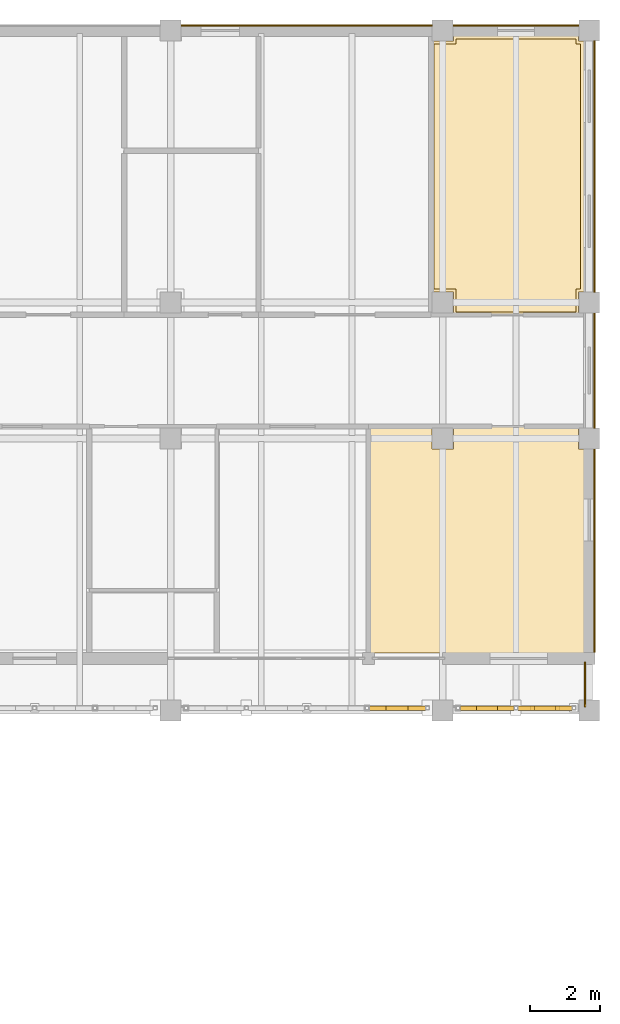
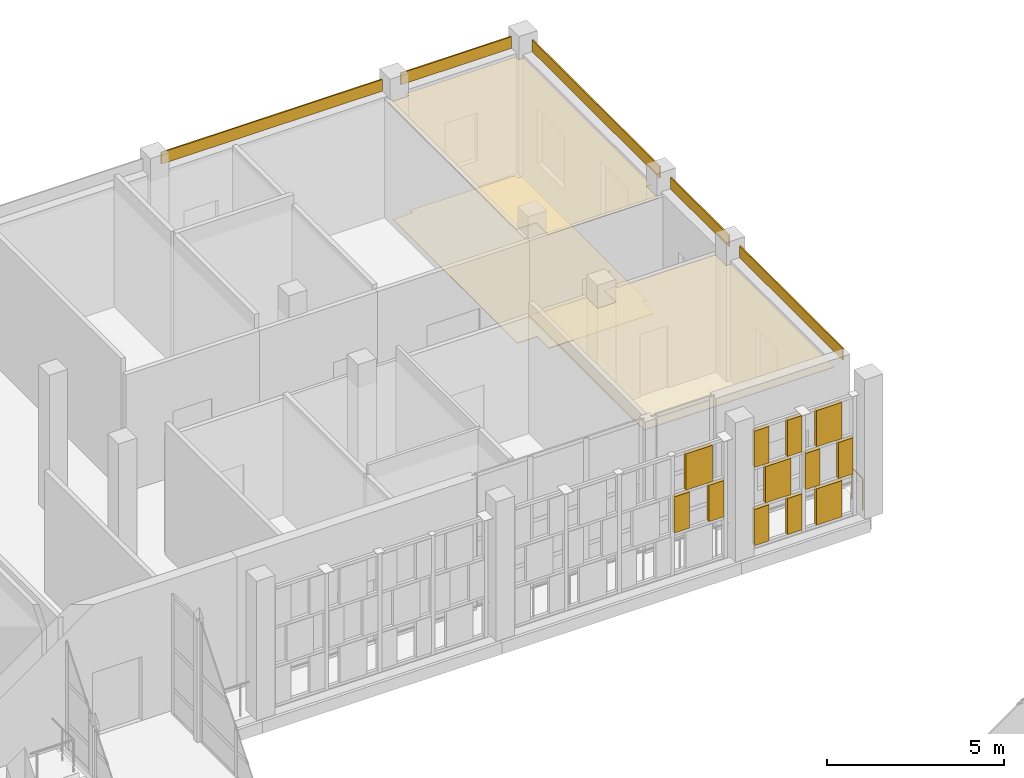
# One storey, part 138 of 138: 20 coverings, 1 railing.
"""IFC4 building model written with IfcOpenShell, lengths in metres."""

from ifc_helpers import new_model, si_unit, direction, frame, origin, origin_2d, place, context, subcontext, project, spatial, polyline, rectangle, circle, outline, extrude, material, layer, layer_set, type_object, element, save


model = new_model("IFC4")

# Units and contexts
model_context = context("Model", 3, precision=1e-05, world=origin(), true_north=direction((0.0, 1.0)))
body_context = subcontext(model_context, "Body", "Model", "MODEL_VIEW")
ifc_project = project(units=[si_unit("LENGTHUNIT", "METRE"), si_unit("AREAUNIT", "SQUARE_METRE"), si_unit("VOLUMEUNIT", "CUBIC_METRE"), si_unit("PLANEANGLEUNIT", "RADIAN"), si_unit("MASSUNIT", "GRAM", prefix="KILO")], contexts=[model_context])

# Site, building, storey
site_placement = place(None, origin())
site = spatial("IfcSite", under=ifc_project, at=site_placement, CompositionType="ELEMENT")
building_placement = place(site_placement, origin())
building = spatial("IfcBuilding", under=site, at=building_placement, Name="Celorna Specialist Clinic", CompositionType="ELEMENT")
storey_placement = place(building_placement, frame((0.0, 0.0, 4.800048828125)))
storey = spatial("IfcBuildingStorey", under=building, at=storey_placement, Name="L01", CompositionType="ELEMENT", Elevation=4.800048828125)

# Railing
ifc_material_1 = material(Name="Stainless steel and laminated glass balustrade", Category="steel")
railing_type = type_object("IfcRailingType", Name="BL-01", PredefinedType="BALUSTRADE", material=ifc_material_1)
railing_placement = place(storey_placement, frame((167.8798828125, 97.8798828125, 0.0)))
element("IfcRailing", 1, at=railing_placement, inside=storey, type_object=railing_type, Name="East Outpatient Cloister Veranda perimeter balustrade 3", PredefinedType="BALUSTRADE", context=body_context, shape_type="SweptSolid", body=[
    extrude(circle(Radius=0.02392578125, at=origin_2d()), frame((0.0, 0.0, 1.09619140625), z_axis=(0.0, -1.0, 0.0), x_axis=(1.0, 0.0, 0.0)), (0.0, 0.0, 1.0), 1.259765625),
    extrude(circle(Radius=0.02099609375, at=origin_2d()), origin(), (0.0, 0.0, 1.0), 1.072021484375),
    extrude(circle(Radius=0.02099609375, at=origin_2d()), frame((0.0, -0.6298828125, 0.0)), (0.0, 0.0, 1.0), 1.072021484375),
    extrude(circle(Radius=0.02099609375, at=origin_2d()), frame((0.0, -1.259765625, 0.0)), (0.0, 0.0, 1.0), 1.072021484375),
])

# Coverings
ifc_material_2 = material(Name="Hygienic acoustic mineral-fibre ceiling")
ifc_layer_1 = layer(ifc_material_2, 0.030029296875, Name="Hygienic acoustic mineral-fibre ceiling")
ifc_layer_set_1 = layer_set([ifc_layer_1], Name="Hygienic acoustic mineral-fibre ceiling")
covering_type_1 = type_object("IfcCoveringType", Name="CE-01", PredefinedType="CEILING", material=ifc_layer_set_1)
covering_1_placement = place(storey_placement, frame((0.0, 0.0, 3.989990234375)))
element("IfcCovering", 2, at=covering_1_placement, inside=storey, type_object=covering_type_1, Name="Acoustic ceiling L01-073", PredefinedType="CEILING", context=body_context, shape_type="SweptSolid", body=[
    extrude(outline(polyline([(163.5048828125, 104.6650390625), (163.5048828125, 104.60498046875), (163.4951171875, 104.60498046875), (163.4951171875, 103.9951171875), (164.10498046875, 103.9951171875), (164.10498046875, 104.60498046875), (164.094970703125, 104.60498046875), (164.094970703125, 104.6650390625), (167.705078125, 104.6650390625), (167.705078125, 104.60498046875), (167.695068359375, 104.60498046875), (167.695068359375, 103.9951171875), (167.844970703125, 103.9951171875), (167.844970703125, 98.155029296875), (161.655029296875, 98.155029296875), (161.655029296875, 104.6650390625), (163.5048828125, 104.6650390625)])), origin(), (0.0, 0.0, 1.0), 0.030029296875),
])
covering_2_placement = place(storey_placement, frame((0.0, 0.0, 3.989990234375)))
element("IfcCovering", 3, at=covering_2_placement, inside=storey, type_object=covering_type_1, Name="Acoustic ceiling L01-090", PredefinedType="CEILING", context=body_context, shape_type="SweptSolid", body=[
    extrude(outline(polyline([(163.4951171875, 115.705078125), (163.4951171875, 115.695068359375), (164.10498046875, 115.695068359375), (164.10498046875, 115.844970703125), (167.695068359375, 115.844970703125), (167.695068359375, 115.695068359375), (167.844970703125, 115.695068359375), (167.844970703125, 108.5048828125), (167.695068359375, 108.5048828125), (167.695068359375, 107.89501953125), (167.705078125, 107.89501953125), (167.705078125, 107.8349609375), (164.094970703125, 107.8349609375), (164.094970703125, 107.89501953125), (164.10498046875, 107.89501953125), (164.10498046875, 108.5048828125), (163.4951171875, 108.5048828125), (163.4951171875, 108.4951171875), (163.455078125, 108.4951171875), (163.455078125, 115.705078125), (163.4951171875, 115.705078125)])), origin(), (0.0, 0.0, 1.0), 0.030029296875),
])
ifc_material_3 = material(Name="Pero Pinheiro Lioz limestone rainscreen cladding", Category="masonry")
ifc_layer_2 = layer(ifc_material_3, 0.044921875, Name="Pero Pinheiro Lioz limestone rainscreen cladding")
ifc_layer_set_2 = layer_set([ifc_layer_2], Name="Pero Pinheiro Lioz limestone rainscreen cladding")
covering_type_2 = type_object("IfcCoveringType", Name="CL-01", PredefinedType="CLADDING", material=ifc_layer_set_2)
covering_3_placement = place(storey_placement, frame((159.89990234375, 116.1474609375, 4.139892578125), z_axis=(0.0, 0.0, 1.0), x_axis=(1.0, 0.0, 0.0)))
element("IfcCovering", 4, at=covering_3_placement, inside=storey, type_object=covering_type_2, Name="Lioz spandrel cladding #222", PredefinedType="CLADDING", context=body_context, shape_type="SweptSolid", body=[
    extrude(rectangle(XDim=7.199951171875, YDim=0.044921875, at=origin_2d()), origin(), (0.0, 0.0, 1.0), 0.39990234375),
])
covering_4_placement = place(storey_placement, frame((165.89990234375, 116.1474609375, 4.139892578125), z_axis=(0.0, 0.0, 1.0), x_axis=(1.0, 0.0, 0.0)))
element("IfcCovering", 5, at=covering_4_placement, inside=storey, type_object=covering_type_2, Name="Lioz spandrel cladding #223", PredefinedType="CLADDING", context=body_context, shape_type="SweptSolid", body=[
    extrude(rectangle(XDim=3.60009765625, YDim=0.044921875, at=origin_2d()), origin(), (0.0, 0.0, 1.0), 0.39990234375),
])
covering_5_placement = place(storey_placement, frame((168.1474609375, 101.0849609375, 4.139892578125), z_axis=(0.0, 0.0, 1.0), x_axis=(0.0, -1.0, 0.0)))
element("IfcCovering", 6, at=covering_5_placement, inside=storey, type_object=covering_type_2, Name="Lioz spandrel cladding #227", PredefinedType="CLADDING", context=body_context, shape_type="SweptSolid", body=[
    extrude(rectangle(XDim=5.830078125, YDim=0.044921875, at=origin_2d()), origin(), (0.0, 0.0, 1.0), 0.39990234375),
])
covering_6_placement = place(storey_placement, frame((168.1474609375, 106.25, 4.139892578125), z_axis=(0.0, 0.0, 1.0), x_axis=(0.0, -1.0, 0.0)))
element("IfcCovering", 7, at=covering_6_placement, inside=storey, type_object=covering_type_2, Name="Lioz spandrel cladding #228", PredefinedType="CLADDING", context=body_context, shape_type="SweptSolid", body=[
    extrude(rectangle(XDim=3.300048828125, YDim=0.044921875, at=origin_2d()), origin(), (0.0, 0.0, 1.0), 0.39990234375),
])
covering_7_placement = place(storey_placement, frame((168.1474609375, 112.10009765625, 4.139892578125), z_axis=(0.0, 0.0, 1.0), x_axis=(0.0, -1.0, 0.0)))
element("IfcCovering", 8, at=covering_7_placement, inside=storey, type_object=covering_type_2, Name="Lioz spandrel cladding #229", PredefinedType="CLADDING", context=body_context, shape_type="SweptSolid", body=[
    extrude(rectangle(XDim=7.199951171875, YDim=0.044921875, at=origin_2d()), origin(), (0.0, 0.0, 1.0), 0.39990234375),
])
ifc_material_4 = material(Name="Perforated terracotta brick weave cladding", Category="masonry")
ifc_layer_3 = layer(ifc_material_4, 0.114990234375, Name="Perforated terracotta brick weave cladding")
ifc_layer_set_3 = layer_set([ifc_layer_3], Name="Perforated terracotta brick weave cladding")
covering_type_3 = type_object("IfcCoveringType", Name="CL-02", PredefinedType="CLADDING", material=ifc_layer_set_3)
for number, where, z_axis, x_axis, name in (
    (9, (161.935546875, 96.570068359375, 1.44677734375), (0.0, 0.0, 1.0), (1.0, 0.0, 0.0), "Woven perforated terracotta brick course #848"),
    (10, (163.054443359375, 96.570068359375, 1.44677734375), (0.0, 0.0, 1.0), (1.0, 0.0, 0.0), "Woven perforated terracotta brick course #849"),
):
    element("IfcCovering", number, at=place(storey_placement, frame(where, z_axis=z_axis, x_axis=x_axis)), inside=storey, type_object=covering_type_3, Name=name, PredefinedType="CLADDING", context=body_context, shape_type="SweptSolid", body=[
        extrude(rectangle(XDim=0.4912109375, YDim=0.114990234375, at=origin_2d()), origin(), (0.0, 0.0, 1.0), 1.24658203125),
    ])
covering_8_placement = place(storey_placement, frame((162.4951171875, 96.570068359375, 2.793212890625), z_axis=(0.0, 0.0, 1.0), x_axis=(1.0, 0.0, 0.0)))
element("IfcCovering", 11, at=covering_8_placement, inside=storey, type_object=covering_type_3, Name="Woven perforated terracotta brick course #850", PredefinedType="CLADDING", context=body_context, shape_type="SweptSolid", body=[
    extrude(rectangle(XDim=0.869384765625, YDim=0.114990234375, at=origin_2d()), origin(), (0.0, 0.0, 1.0), 1.24658203125),
])
for number, where, z_axis, x_axis, name in (
    (12, (164.534912109375, 96.570068359375, 0.10009765625), (0.0, 0.0, 1.0), (1.0, 0.0, 0.0), "Woven perforated terracotta brick course #851"),
    (13, (165.605224609375, 96.570068359375, 0.10009765625), (0.0, 0.0, 1.0), (1.0, 0.0, 0.0), "Woven perforated terracotta brick course #852"),
):
    element("IfcCovering", number, at=place(storey_placement, frame(where, z_axis=z_axis, x_axis=x_axis)), inside=storey, type_object=covering_type_3, Name=name, PredefinedType="CLADDING", context=body_context, shape_type="SweptSolid", body=[
        extrude(rectangle(XDim=0.4697265625, YDim=0.114990234375, at=origin_2d()), origin(), (0.0, 0.0, 1.0), 1.24658203125),
    ])
covering_9_placement = place(storey_placement, frame((165.070068359375, 96.570068359375, 1.44677734375), z_axis=(0.0, 0.0, 1.0), x_axis=(1.0, 0.0, 0.0)))
element("IfcCovering", 14, at=covering_9_placement, inside=storey, type_object=covering_type_3, Name="Woven perforated terracotta brick course #853", PredefinedType="CLADDING", context=body_context, shape_type="SweptSolid", body=[
    extrude(rectangle(XDim=0.83154296875, YDim=0.114990234375, at=origin_2d()), origin(), (0.0, 0.0, 1.0), 1.24658203125),
])
for number, where, z_axis, x_axis, name in (
    (15, (164.534912109375, 96.570068359375, 2.793212890625), (0.0, 0.0, 1.0), (1.0, 0.0, 0.0), "Woven perforated terracotta brick course #854"),
    (16, (165.605224609375, 96.570068359375, 2.793212890625), (0.0, 0.0, 1.0), (1.0, 0.0, 0.0), "Woven perforated terracotta brick course #855"),
):
    element("IfcCovering", number, at=place(storey_placement, frame(where, z_axis=z_axis, x_axis=x_axis)), inside=storey, type_object=covering_type_3, Name=name, PredefinedType="CLADDING", context=body_context, shape_type="SweptSolid", body=[
        extrude(rectangle(XDim=0.4697265625, YDim=0.114990234375, at=origin_2d()), origin(), (0.0, 0.0, 1.0), 1.24658203125),
    ])
covering_10_placement = place(storey_placement, frame((166.72998046875, 96.570068359375, 0.10009765625), z_axis=(0.0, 0.0, 1.0), x_axis=(1.0, 0.0, 0.0)))
element("IfcCovering", 17, at=covering_10_placement, inside=storey, type_object=covering_type_3, Name="Woven perforated terracotta brick course #856", PredefinedType="CLADDING", context=body_context, shape_type="SweptSolid", body=[
    extrude(rectangle(XDim=0.83154296875, YDim=0.114990234375, at=origin_2d()), origin(), (0.0, 0.0, 1.0), 1.24658203125),
])
for number, where, z_axis, x_axis, name in (
    (18, (166.19482421875, 96.570068359375, 1.44677734375), (0.0, 0.0, 1.0), (1.0, 0.0, 0.0), "Woven perforated terracotta brick course #857"),
    (19, (167.26513671875, 96.570068359375, 1.44677734375), (0.0, 0.0, 1.0), (1.0, 0.0, 0.0), "Woven perforated terracotta brick course #858"),
):
    element("IfcCovering", number, at=place(storey_placement, frame(where, z_axis=z_axis, x_axis=x_axis)), inside=storey, type_object=covering_type_3, Name=name, PredefinedType="CLADDING", context=body_context, shape_type="SweptSolid", body=[
        extrude(rectangle(XDim=0.4697265625, YDim=0.114990234375, at=origin_2d()), origin(), (0.0, 0.0, 1.0), 1.24658203125),
    ])
covering_11_placement = place(storey_placement, frame((166.72998046875, 96.570068359375, 2.793212890625), z_axis=(0.0, 0.0, 1.0), x_axis=(1.0, 0.0, 0.0)))
element("IfcCovering", 20, at=covering_11_placement, inside=storey, type_object=covering_type_3, Name="Woven perforated terracotta brick course #859", PredefinedType="CLADDING", context=body_context, shape_type="SweptSolid", body=[
    extrude(rectangle(XDim=0.83154296875, YDim=0.114990234375, at=origin_2d()), origin(), (0.0, 0.0, 1.0), 1.24658203125),
])
ifc_material_5 = material(Name="Seamless antimicrobial clinical vinyl and Lioz terrazzo flooring")
ifc_layer_4 = layer(ifc_material_5, 0.02001953125, Name="Seamless antimicrobial clinical vinyl and Lioz terrazzo flooring")
ifc_layer_set_4 = layer_set([ifc_layer_4], Name="Seamless antimicrobial clinical vinyl and Lioz terrazzo flooring")
covering_type_4 = type_object("IfcCoveringType", Name="FL-01", PredefinedType="FLOORING", material=ifc_layer_set_4)
covering_12_placement = place(storey_placement, origin())
element("IfcCovering", 21, at=covering_12_placement, inside=storey, type_object=covering_type_4, Name="Antimicrobial clinical flooring L01-090", PredefinedType="FLOORING", context=body_context, shape_type="SweptSolid", body=[
    extrude(outline(polyline([(163.544921875, 115.614990234375), (164.18505859375, 115.614990234375), (164.18505859375, 115.7548828125), (167.614990234375, 115.7548828125), (167.614990234375, 115.614990234375), (167.7548828125, 115.614990234375), (167.7548828125, 108.5849609375), (167.614990234375, 108.5849609375), (167.614990234375, 107.925048828125), (164.18505859375, 107.925048828125), (164.18505859375, 108.5849609375), (163.544921875, 108.5849609375), (163.544921875, 115.614990234375)])), origin(), (0.0, 0.0, 1.0), 0.02001953125),
])

save(model, "model.ifc")
